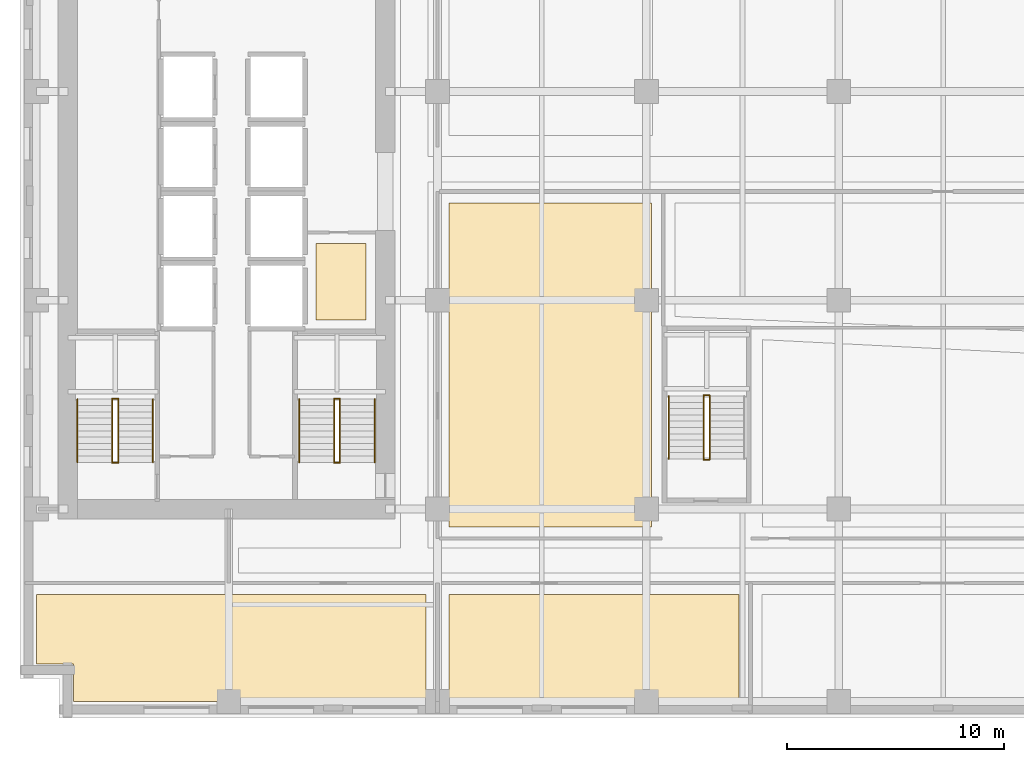
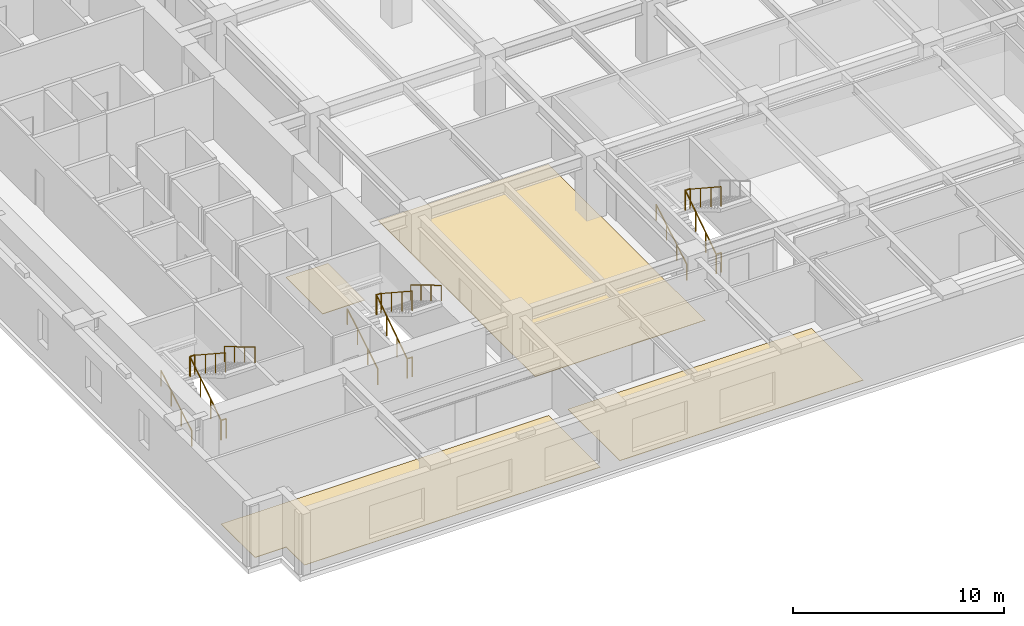
# One storey, part 12 of 16: 17 railings, 4 coverings.
"""IFC4 building model written with IfcOpenShell, lengths in metres."""

from ifc_helpers import new_model, si_unit, direction, frame, origin, origin_2d, place, context, subcontext, project, spatial, polyline, circle, outline, extrude, material, layer, layer_set, type_object, element, save


model = new_model("IFC4")

# Units and contexts
model_context = context("Model", 3, precision=1e-05, world=origin(), true_north=direction((0.0, 1.0)))
body_context = subcontext(model_context, "Body", "Model", "MODEL_VIEW")
ifc_project = project(units=[si_unit("LENGTHUNIT", "METRE"), si_unit("AREAUNIT", "SQUARE_METRE"), si_unit("VOLUMEUNIT", "CUBIC_METRE"), si_unit("PLANEANGLEUNIT", "RADIAN"), si_unit("MASSUNIT", "GRAM", prefix="KILO")], contexts=[model_context])

# Site, building, storey
site_placement = place(None, origin())
site = spatial("IfcSite", under=ifc_project, at=site_placement, CompositionType="ELEMENT")
building_placement = place(site_placement, origin())
building = spatial("IfcBuilding", under=site, at=building_placement, Name="Norrvale University Quadrangle", CompositionType="ELEMENT")
storey_placement = place(building_placement, frame((0.0, 0.0, 58.39990234375)))
storey = spatial("IfcBuildingStorey", under=building, at=storey_placement, Name="L14", CompositionType="ELEMENT", Elevation=58.39990234375)

# Coverings
ifc_material_1 = material(Name="Polished Terrazzo Flooring")
ifc_layer = layer(ifc_material_1, 0.02490234375, Name="Polished Terrazzo Flooring")
ifc_layer_set = layer_set([ifc_layer], Name="Polished Terrazzo Flooring")
covering_type = type_object("IfcCoveringType", Name="Covering Terrazzo Floor 30", PredefinedType="FLOORING", material=ifc_layer_set)
covering_1_placement = place(storey_placement, origin())
element("IfcCovering", 1, at=covering_1_placement, inside=storey, type_object=covering_type, Name="Terrazzo Flooring RM-L14-JAN", PredefinedType="FLOORING", context=body_context, shape_type="SweptSolid", body=[
    extrude(outline(polyline([(13.60009765625, 18.300048828125), (13.60009765625, 21.800048828125), (15.89990234375, 21.800048828125), (15.89990234375, 18.300048828125), (13.60009765625, 18.300048828125)])), origin(), (0.0, 0.0, 1.0), 0.025146484375),
])
covering_2_placement = place(storey_placement, origin())
element("IfcCovering", 2, at=covering_2_placement, inside=storey, type_object=covering_type, Name="Terrazzo Flooring RM-L14-S01", PredefinedType="FLOORING", context=body_context, shape_type="SweptSolid", body=[
    extrude(outline(polyline([(18.669921875, 5.669921875), (18.669921875, 0.75), (2.469970703125, 0.75), (2.469970703125, 2.469970703125), (0.75, 2.469970703125), (0.75, 5.669921875), (18.669921875, 5.669921875)])), origin(), (0.0, 0.0, 1.0), 0.025146484375),
])
covering_3_placement = place(storey_placement, origin())
element("IfcCovering", 3, at=covering_3_placement, inside=storey, type_object=covering_type, Name="Terrazzo Flooring RM-L14-S02", PredefinedType="FLOORING", context=body_context, shape_type="SweptSolid", body=[
    extrude(outline(polyline([(33.070068359375, 5.669921875), (33.070068359375, 0.75), (19.72998046875, 0.75), (19.72998046875, 5.669921875), (33.070068359375, 5.669921875)])), origin(), (0.0, 0.0, 1.0), 0.025146484375),
])
covering_4_placement = place(storey_placement, origin())
element("IfcCovering", 4, at=covering_4_placement, inside=storey, type_object=covering_type, Name="Terrazzo Flooring RM-L14-IW1", PredefinedType="FLOORING", context=body_context, shape_type="SweptSolid", body=[
    extrude(outline(polyline([(19.72998046875, 8.780029296875), (19.72998046875, 23.669921875), (29.050048828125, 23.669921875), (29.050048828125, 8.780029296875), (19.72998046875, 8.780029296875)])), origin(), (0.0, 0.0, 1.0), 0.025146484375),
])

# Railings
ifc_material_2 = material(Name="Steel 350W Painted Balustrade", Category="steel")
railing_type_1 = type_object("IfcRailingType", Name="Railing Stair Guard 1100", PredefinedType="GUARDRAIL", material=ifc_material_2)
for number, where, name in (
    (5, (4.239990234375, 11.719970703125, 0.0), "Stair Floor Well Guard ST-01 L14"),
    (6, (4.239990234375, 14.679931640625, 1.900146484375), "Stair Mid-Landing Slot Guard ST-01 L14"),
):
    element("IfcRailing", number, at=place(storey_placement, frame(where)), inside=storey, type_object=railing_type_1, Name=name, PredefinedType="GUARDRAIL", context=body_context, shape_type="SweptSolid", body=[
        extrude(circle(Radius=0.02392578125, at=origin_2d()), frame((0.0, 0.0, 1.1259765625), z_axis=(1.0, 0.0, 0.0), x_axis=(0.0, 1.0, 0.0)), (0.0, 0.0, 1.0), 0.27001953125),
        extrude(circle(Radius=0.02099609375, at=origin_2d()), origin(), (0.0, 0.0, 1.0), 1.101806640625),
        extrude(circle(Radius=0.02099609375, at=origin_2d()), frame((0.27001953125, 0.0, 0.0)), (0.0, 0.0, 1.0), 1.101806640625),
    ])
railing_1_placement = place(storey_placement, frame((4.239990234375, 11.75, 0.0)))
element("IfcRailing", 7, at=railing_1_placement, inside=storey, type_object=railing_type_1, Name="Stair Lower Flight Inner Guard ST-01 L14", PredefinedType="GUARDRAIL", context=body_context, shape_type="SweptSolid", body=[
    extrude(circle(Radius=0.02392578125, at=origin_2d()), frame((0.0, 0.0, 1.1259765625), z_axis=(0.0, 0.836433300813, 0.548068730445), x_axis=(-1.0, 0.0, 0.0)), (0.0, 0.0, 1.0), 3.467041015625),
    extrude(circle(Radius=0.02099609375, at=origin_2d()), origin(), (0.0, 0.0, 1.0), 1.101806640625),
    extrude(circle(Radius=0.02099609375, at=origin_2d()), frame((0.0, 0.966552734375, 0.63330078125)), (0.0, 0.0, 1.0), 1.101806640625),
    extrude(circle(Radius=0.02099609375, at=origin_2d()), frame((0.0, 1.933349609375, 1.266845703125)), (0.0, 0.0, 1.0), 1.101806640625),
    extrude(circle(Radius=0.02099609375, at=origin_2d()), frame((0.0, 2.89990234375, 1.900146484375)), (0.0, 0.0, 1.0), 1.101806640625),
])
railing_2_placement = place(storey_placement, frame((4.510009765625, 14.64990234375, 1.900146484375)))
element("IfcRailing", 8, at=railing_2_placement, inside=storey, type_object=railing_type_1, Name="Stair Upper Flight Inner Guard ST-01 L14", PredefinedType="GUARDRAIL", context=body_context, shape_type="SweptSolid", body=[
    extrude(circle(Radius=0.02392578125, at=origin_2d()), frame((0.0, 0.0, 1.1259765625), z_axis=(0.0, -0.836465582154, 0.548019461216), x_axis=(1.0, 0.0, 0.0)), (0.0, 0.0, 1.0), 3.466796875),
    extrude(circle(Radius=0.02099609375, at=origin_2d()), origin(), (0.0, 0.0, 1.0), 1.101806640625),
    extrude(circle(Radius=0.02099609375, at=origin_2d()), frame((0.0, -0.966552734375, 0.63330078125)), (0.0, 0.0, 1.0), 1.101806640625),
    extrude(circle(Radius=0.02099609375, at=origin_2d()), frame((0.0, -1.933349609375, 1.2666015625)), (0.0, 0.0, 1.0), 1.101806640625),
    extrude(circle(Radius=0.02099609375, at=origin_2d()), frame((0.0, -2.89990234375, 1.89990234375)), (0.0, 0.0, 1.0), 1.101806640625),
])
for number, where, name in (
    (9, (14.43994140625, 11.719970703125, 0.0), "Stair Floor Well Guard ST-03 L14"),
    (10, (14.43994140625, 14.679931640625, 1.900146484375), "Stair Mid-Landing Slot Guard ST-03 L14"),
):
    element("IfcRailing", number, at=place(storey_placement, frame(where)), inside=storey, type_object=railing_type_1, Name=name, PredefinedType="GUARDRAIL", context=body_context, shape_type="SweptSolid", body=[
        extrude(circle(Radius=0.02392578125, at=origin_2d()), frame((0.0, 0.0, 1.1259765625), z_axis=(1.0, 0.0, 0.0), x_axis=(0.0, 1.0, 0.0)), (0.0, 0.0, 1.0), 0.27001953125),
        extrude(circle(Radius=0.02099609375, at=origin_2d()), origin(), (0.0, 0.0, 1.0), 1.101806640625),
        extrude(circle(Radius=0.02099609375, at=origin_2d()), frame((0.27001953125, 0.0, 0.0)), (0.0, 0.0, 1.0), 1.101806640625),
    ])
railing_3_placement = place(storey_placement, frame((14.43994140625, 11.75, 0.0)))
element("IfcRailing", 11, at=railing_3_placement, inside=storey, type_object=railing_type_1, Name="Stair Lower Flight Inner Guard ST-03 L14", PredefinedType="GUARDRAIL", context=body_context, shape_type="SweptSolid", body=[
    extrude(circle(Radius=0.02392578125, at=origin_2d()), frame((0.0, 0.0, 1.1259765625), z_axis=(0.0, 0.836433300813, 0.548068730445), x_axis=(-1.0, 0.0, 0.0)), (0.0, 0.0, 1.0), 3.467041015625),
    extrude(circle(Radius=0.02099609375, at=origin_2d()), origin(), (0.0, 0.0, 1.0), 1.101806640625),
    extrude(circle(Radius=0.02099609375, at=origin_2d()), frame((0.0, 0.966552734375, 0.63330078125)), (0.0, 0.0, 1.0), 1.101806640625),
    extrude(circle(Radius=0.02099609375, at=origin_2d()), frame((0.0, 1.933349609375, 1.266845703125)), (0.0, 0.0, 1.0), 1.101806640625),
    extrude(circle(Radius=0.02099609375, at=origin_2d()), frame((0.0, 2.89990234375, 1.900146484375)), (0.0, 0.0, 1.0), 1.101806640625),
])
railing_4_placement = place(storey_placement, frame((14.7099609375, 14.64990234375, 1.900146484375)))
element("IfcRailing", 12, at=railing_4_placement, inside=storey, type_object=railing_type_1, Name="Stair Upper Flight Inner Guard ST-03 L14", PredefinedType="GUARDRAIL", context=body_context, shape_type="SweptSolid", body=[
    extrude(circle(Radius=0.02392578125, at=origin_2d()), frame((0.0, 0.0, 1.1259765625), z_axis=(0.0, -0.836465582154, 0.548019461216), x_axis=(1.0, 0.0, 0.0)), (0.0, 0.0, 1.0), 3.466796875),
    extrude(circle(Radius=0.02099609375, at=origin_2d()), origin(), (0.0, 0.0, 1.0), 1.101806640625),
    extrude(circle(Radius=0.02099609375, at=origin_2d()), frame((0.0, -0.966552734375, 0.63330078125)), (0.0, 0.0, 1.0), 1.101806640625),
    extrude(circle(Radius=0.02099609375, at=origin_2d()), frame((0.0, -1.933349609375, 1.2666015625)), (0.0, 0.0, 1.0), 1.101806640625),
    extrude(circle(Radius=0.02099609375, at=origin_2d()), frame((0.0, -2.89990234375, 1.89990234375)), (0.0, 0.0, 1.0), 1.101806640625),
])
for number, where, name in (
    (13, (31.43994140625, 11.8701171875, 0.0), "Stair Floor Well Guard ST-04 L14"),
    (14, (31.43994140625, 14.830078125, 1.900146484375), "Stair Mid-Landing Slot Guard ST-04 L14"),
):
    element("IfcRailing", number, at=place(storey_placement, frame(where)), inside=storey, type_object=railing_type_1, Name=name, PredefinedType="GUARDRAIL", context=body_context, shape_type="SweptSolid", body=[
        extrude(circle(Radius=0.02392578125, at=origin_2d()), frame((0.0, 0.0, 1.1259765625), z_axis=(1.0, 0.0, 0.0), x_axis=(0.0, 1.0, 0.0)), (0.0, 0.0, 1.0), 0.27001953125),
        extrude(circle(Radius=0.02099609375, at=origin_2d()), origin(), (0.0, 0.0, 1.0), 1.101806640625),
        extrude(circle(Radius=0.02099609375, at=origin_2d()), frame((0.27001953125, 0.0, 0.0)), (0.0, 0.0, 1.0), 1.101806640625),
    ])
railing_5_placement = place(storey_placement, frame((31.43994140625, 11.89990234375, 0.0)))
element("IfcRailing", 15, at=railing_5_placement, inside=storey, type_object=railing_type_1, Name="Stair Lower Flight Inner Guard ST-04 L14", PredefinedType="GUARDRAIL", context=body_context, shape_type="SweptSolid", body=[
    extrude(circle(Radius=0.02392578125, at=origin_2d()), frame((0.0, 0.0, 1.1259765625), z_axis=(0.0, 0.836454451266, 0.548036450392), x_axis=(-1.0, 0.0, 0.0)), (0.0, 0.0, 1.0), 3.46728515625),
    extrude(circle(Radius=0.02099609375, at=origin_2d()), origin(), (0.0, 0.0, 1.0), 1.101806640625),
    extrude(circle(Radius=0.02099609375, at=origin_2d()), frame((0.0, 0.966796875, 0.63330078125)), (0.0, 0.0, 1.0), 1.101806640625),
    extrude(circle(Radius=0.02099609375, at=origin_2d()), frame((0.0, 1.933349609375, 1.266845703125)), (0.0, 0.0, 1.0), 1.101806640625),
    extrude(circle(Radius=0.02099609375, at=origin_2d()), frame((0.0, 2.900146484375, 1.900146484375)), (0.0, 0.0, 1.0), 1.101806640625),
])
railing_6_placement = place(storey_placement, frame((31.7099609375, 14.800048828125, 1.900146484375)))
element("IfcRailing", 16, at=railing_6_placement, inside=storey, type_object=railing_type_1, Name="Stair Upper Flight Inner Guard ST-04 L14", PredefinedType="GUARDRAIL", context=body_context, shape_type="SweptSolid", body=[
    extrude(circle(Radius=0.02392578125, at=origin_2d()), frame((0.0, 0.0, 1.1259765625), z_axis=(0.0, -0.836486729621, 0.547987181573), x_axis=(1.0, 0.0, 0.0)), (0.0, 0.0, 1.0), 3.467041015625),
    extrude(circle(Radius=0.02099609375, at=origin_2d()), origin(), (0.0, 0.0, 1.0), 1.101806640625),
    extrude(circle(Radius=0.02099609375, at=origin_2d()), frame((0.0, -0.966796875, 0.63330078125)), (0.0, 0.0, 1.0), 1.101806640625),
    extrude(circle(Radius=0.02099609375, at=origin_2d()), frame((0.0, -1.933349609375, 1.2666015625)), (0.0, 0.0, 1.0), 1.101806640625),
    extrude(circle(Radius=0.02099609375, at=origin_2d()), frame((0.0, -2.900146484375, 1.89990234375)), (0.0, 0.0, 1.0), 1.101806640625),
])
ifc_material_3 = material(Name="Stainless Steel 316L Handrail", Category="steel")
railing_type_2 = type_object("IfcRailingType", Name="Railing Stair Handrail 920", PredefinedType="HANDRAIL", material=ifc_material_3)
railing_7_placement = place(storey_placement, frame((2.639892578125, 11.75, 0.1728515625)))
element("IfcRailing", 17, at=railing_7_placement, inside=storey, type_object=railing_type_2, Name="Stair Lower Flight Handrail ST-01 L14", PredefinedType="HANDRAIL", context=body_context, shape_type="SweptSolid", body=[
    extrude(circle(Radius=0.02392578125, at=origin_2d()), frame((0.0, 0.0, 0.89599609375), z_axis=(0.0, 0.859141464434, 0.511738159696), x_axis=(-1.0, 0.0, 0.0)), (0.0, 0.0, 1.0), 3.375244140625),
    extrude(circle(Radius=0.02099609375, at=origin_2d()), origin(), (0.0, 0.0, 1.0), 0.871826171875),
    extrude(circle(Radius=0.02099609375, at=origin_2d()), frame((0.0, 0.966552734375, 0.57568359375)), (0.0, 0.0, 1.0), 0.871826171875),
    extrude(circle(Radius=0.02099609375, at=origin_2d()), frame((0.0, 1.933349609375, 1.151611328125)), (0.0, 0.0, 1.0), 0.871826171875),
    extrude(circle(Radius=0.02099609375, at=origin_2d()), frame((0.0, 2.89990234375, 1.727294921875)), (0.0, 0.0, 1.0), 0.871826171875),
])
railing_8_placement = place(storey_placement, frame((6.110107421875, 14.64990234375, 2.07275390625)))
element("IfcRailing", 18, at=railing_8_placement, inside=storey, type_object=railing_type_2, Name="Stair Upper Flight Handrail ST-01 L14", PredefinedType="HANDRAIL", context=body_context, shape_type="SweptSolid", body=[
    extrude(circle(Radius=0.02392578125, at=origin_2d()), frame((0.0, 0.0, 0.89599609375), z_axis=(0.0, -0.859141464434, 0.511738159696), x_axis=(1.0, 0.0, 0.0)), (0.0, 0.0, 1.0), 3.375244140625),
    extrude(circle(Radius=0.02099609375, at=origin_2d()), origin(), (0.0, 0.0, 1.0), 0.871826171875),
    extrude(circle(Radius=0.02099609375, at=origin_2d()), frame((0.0, -0.966552734375, 0.57568359375)), (0.0, 0.0, 1.0), 0.871826171875),
    extrude(circle(Radius=0.02099609375, at=origin_2d()), frame((0.0, -1.933349609375, 1.151611328125)), (0.0, 0.0, 1.0), 0.871826171875),
    extrude(circle(Radius=0.02099609375, at=origin_2d()), frame((0.0, -2.89990234375, 1.727294921875)), (0.0, 0.0, 1.0), 0.871826171875),
])
railing_9_placement = place(storey_placement, frame((12.840087890625, 11.75, 0.1728515625)))
element("IfcRailing", 19, at=railing_9_placement, inside=storey, type_object=railing_type_2, Name="Stair Lower Flight Handrail ST-03 L14", PredefinedType="HANDRAIL", context=body_context, shape_type="SweptSolid", body=[
    extrude(circle(Radius=0.02392578125, at=origin_2d()), frame((0.0, 0.0, 0.89599609375), z_axis=(0.0, 0.859141464434, 0.511738159696), x_axis=(-1.0, 0.0, 0.0)), (0.0, 0.0, 1.0), 3.375244140625),
    extrude(circle(Radius=0.02099609375, at=origin_2d()), origin(), (0.0, 0.0, 1.0), 0.871826171875),
    extrude(circle(Radius=0.02099609375, at=origin_2d()), frame((0.0, 0.966552734375, 0.57568359375)), (0.0, 0.0, 1.0), 0.871826171875),
    extrude(circle(Radius=0.02099609375, at=origin_2d()), frame((0.0, 1.933349609375, 1.151611328125)), (0.0, 0.0, 1.0), 0.871826171875),
    extrude(circle(Radius=0.02099609375, at=origin_2d()), frame((0.0, 2.89990234375, 1.727294921875)), (0.0, 0.0, 1.0), 0.871826171875),
])
railing_10_placement = place(storey_placement, frame((16.31005859375, 14.64990234375, 2.07275390625)))
element("IfcRailing", 20, at=railing_10_placement, inside=storey, type_object=railing_type_2, Name="Stair Upper Flight Handrail ST-03 L14", PredefinedType="HANDRAIL", context=body_context, shape_type="SweptSolid", body=[
    extrude(circle(Radius=0.02392578125, at=origin_2d()), frame((0.0, 0.0, 0.89599609375), z_axis=(0.0, -0.859141464434, 0.511738159696), x_axis=(1.0, 0.0, 0.0)), (0.0, 0.0, 1.0), 3.375244140625),
    extrude(circle(Radius=0.02099609375, at=origin_2d()), origin(), (0.0, 0.0, 1.0), 0.871826171875),
    extrude(circle(Radius=0.02099609375, at=origin_2d()), frame((0.0, -0.966552734375, 0.57568359375)), (0.0, 0.0, 1.0), 0.871826171875),
    extrude(circle(Radius=0.02099609375, at=origin_2d()), frame((0.0, -1.933349609375, 1.151611328125)), (0.0, 0.0, 1.0), 0.871826171875),
    extrude(circle(Radius=0.02099609375, at=origin_2d()), frame((0.0, -2.89990234375, 1.727294921875)), (0.0, 0.0, 1.0), 0.871826171875),
])
railing_11_placement = place(storey_placement, frame((29.840087890625, 11.89990234375, 0.1728515625)))
element("IfcRailing", 21, at=railing_11_placement, inside=storey, type_object=railing_type_2, Name="Stair Lower Flight Handrail ST-04 L14", PredefinedType="HANDRAIL", context=body_context, shape_type="SweptSolid", body=[
    extrude(circle(Radius=0.02392578125, at=origin_2d()), frame((0.0, 0.0, 0.89599609375), z_axis=(0.0, 0.859160404282, 0.51170636083), x_axis=(-1.0, 0.0, 0.0)), (0.0, 0.0, 1.0), 3.37548828125),
    extrude(circle(Radius=0.02099609375, at=origin_2d()), origin(), (0.0, 0.0, 1.0), 0.871826171875),
    extrude(circle(Radius=0.02099609375, at=origin_2d()), frame((0.0, 0.966796875, 0.57568359375)), (0.0, 0.0, 1.0), 0.871826171875),
    extrude(circle(Radius=0.02099609375, at=origin_2d()), frame((0.0, 1.933349609375, 1.151611328125)), (0.0, 0.0, 1.0), 0.871826171875),
    extrude(circle(Radius=0.02099609375, at=origin_2d()), frame((0.0, 2.900146484375, 1.727294921875)), (0.0, 0.0, 1.0), 0.871826171875),
])

save(model, "model.ifc")
